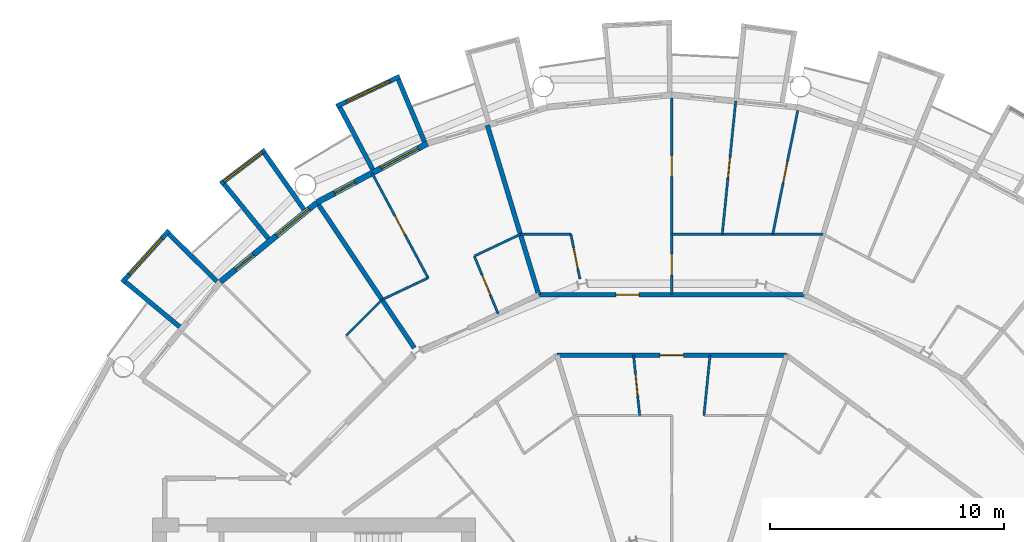
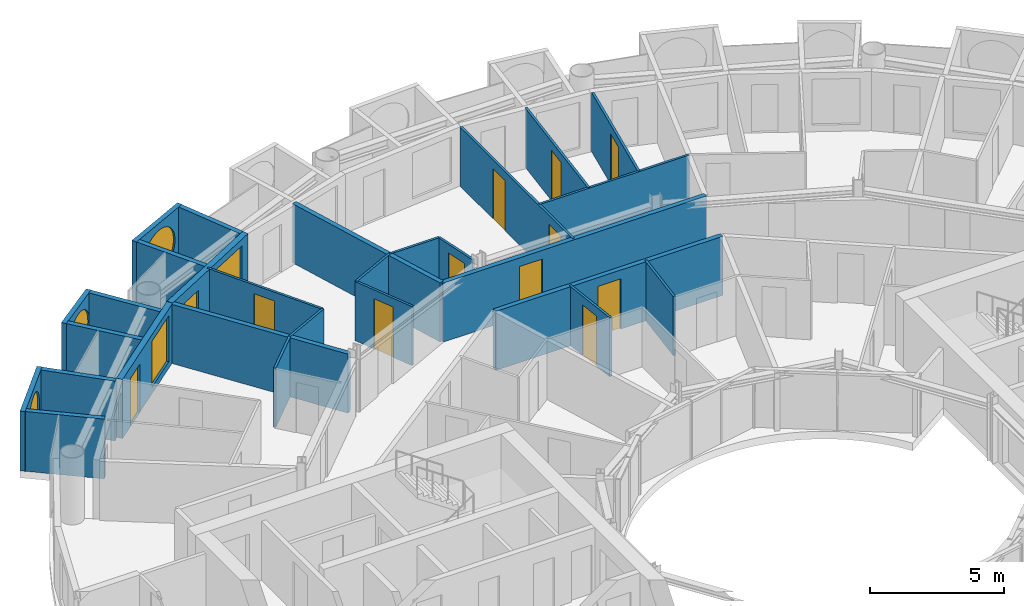
# One storey, part 20 of 27: 28 walls, 12 doors, 5 windows, 17 openings.
"""IFC4 building model written with IfcOpenShell, lengths in metres."""

from ifc_helpers import new_model, si_unit, direction, frame, frame_2d, origin, place, context, subcontext, project, spatial, rectangle, circle, extrude, material, layer, layer_set, type_object, element, fill, save


model = new_model("IFC4")

# Units and contexts
model_context = context("Model", 3, precision=1e-05, world=origin(), true_north=direction((0.0, 1.0)))
body_context = subcontext(model_context, "Body", "Model", "MODEL_VIEW")
ifc_project = project(units=[si_unit("LENGTHUNIT", "METRE"), si_unit("AREAUNIT", "SQUARE_METRE"), si_unit("VOLUMEUNIT", "CUBIC_METRE"), si_unit("PLANEANGLEUNIT", "RADIAN"), si_unit("MASSUNIT", "GRAM", prefix="KILO")], contexts=[model_context])

# Site, building, storey
site_placement = place(None, origin())
site = spatial("IfcSite", under=ifc_project, at=site_placement, CompositionType="ELEMENT")
building_placement = place(site_placement, origin())
building = spatial("IfcBuilding", under=site, at=building_placement, Name="Maasbend Ring Residences", CompositionType="ELEMENT")
storey_placement = place(building_placement, frame((0.0, 0.0, 117.75)))
storey = spatial("IfcBuildingStorey", under=building, at=storey_placement, Name="L33", CompositionType="ELEMENT", Elevation=117.75)

# Wall, opening, door
ifc_material_1 = material(Name="Concrete C30/37", Category="concrete")
ifc_layer_1 = layer(ifc_material_1, 0.199951171875)
ifc_layer_set_1 = layer_set([ifc_layer_1], Name="Concrete C30/37")
wall_type_1 = type_object("IfcWallType", Name="CORRIDOR WALL 200 CONCRETE", PredefinedType="PARTITIONING", material=ifc_layer_set_1)
wall_1_placement = place(storey_placement, frame((-4.906005859375, 16.172119140625, 0.0), z_axis=(0.0, 0.0, 1.0), x_axis=(1.0, 0.0, 0.0)))
wall_1 = element("IfcWall", 1, at=wall_1_placement, inside=storey, type_object=wall_type_1, Name="U-L33-w095", PredefinedType="PARTITIONING", context=body_context, shape_type="SweptSolid", body=[
    extrude(rectangle(XDim=9.81201171875, YDim=0.199951171875, at=frame_2d((4.906005859375, 0.0))), origin(), (0.0, 0.0, 1.0), 2.699951171875),
])
opening_1_placement = place(wall_1_placement, frame((4.406005859375, 0.0, 0.0)))
opening_1 = element("IfcOpeningElement", 2, at=opening_1_placement, cuts=wall_1, Name="Opening D-3325", PredefinedType="OPENING", context=body_context, shape_type="SweptSolid", body=[
    extrude(rectangle(XDim=1.0, YDim=2.300048828125, at=frame_2d((0.5, 1.14990234375))), frame((0.0, 0.10986328125, 0.0), z_axis=(0.0, -1.0, 0.0), x_axis=(1.0, 0.0, 0.0)), (0.0, 0.0, 1.0), 0.219970703125),
])
ifc_material_2 = material(Name="Timber, fire-rated, painted", Category="wood")
door_type_1 = type_object("IfcDoorType", Name="FLAT ENTRANCE DOOR 1000 X 2300 FIRE-RATED", OperationType="NOTDEFINED", PredefinedType="DOOR", material=ifc_material_2)
door_1_placement = place(opening_1_placement, origin())
door_1 = element("IfcDoor", 3, at=door_1_placement, inside=storey, type_object=door_type_1, Name="D-3325", OperationType="SINGLE_SWING_LEFT", OverallHeight=2.300048828125, OverallWidth=1.0, PredefinedType="DOOR", context=body_context, shape_type="SweptSolid", body=[
    extrude(rectangle(XDim=1.0, YDim=2.300048828125, at=frame_2d((0.5, 1.14990234375))), frame((0.0, 0.02490234375, 0.0), z_axis=(0.0, -1.0, 0.0), x_axis=(1.0, 0.0, 0.0)), (0.0, 0.0, 1.0), 0.050048828125),
])
fill(opening_1, door_1)

wall_2_placement = place(storey_placement, frame((-5.68994140625, 18.756103515625, 0.0), z_axis=(0.0, 0.0, 1.0), x_axis=(1.0, 0.0, 0.0)))
wall_2 = element("IfcWall", 4, at=wall_2_placement, inside=storey, type_object=wall_type_1, Name="U-L33-w096", PredefinedType="PARTITIONING", context=body_context, shape_type="SweptSolid", body=[
    extrude(rectangle(XDim=11.3798828125, YDim=0.199951171875, at=frame_2d((5.68994140625, 0.0))), origin(), (0.0, 0.0, 1.0), 2.699951171875),
])
opening_2_placement = place(wall_2_placement, frame((3.2939453125, 0.0, 0.0)))
opening_2 = element("IfcOpeningElement", 5, at=opening_2_placement, cuts=wall_2, Name="Opening D-3308", PredefinedType="OPENING", context=body_context, shape_type="SweptSolid", body=[
    extrude(rectangle(XDim=1.0, YDim=2.300048828125, at=frame_2d((0.5, 1.14990234375))), frame((0.0, 0.10986328125, 0.0), z_axis=(0.0, -1.0, 0.0), x_axis=(1.0, 0.0, 0.0)), (0.0, 0.0, 1.0), 0.219970703125),
])
door_2_placement = place(opening_2_placement, origin())
door_2 = element("IfcDoor", 6, at=door_2_placement, inside=storey, type_object=door_type_1, Name="D-3308", OperationType="SINGLE_SWING_LEFT", OverallHeight=2.300048828125, OverallWidth=1.0, PredefinedType="DOOR", context=body_context, shape_type="SweptSolid", body=[
    extrude(rectangle(XDim=1.0, YDim=2.300048828125, at=frame_2d((0.5, 1.14990234375))), frame((0.0, 0.02490234375, 0.0), z_axis=(0.0, -1.0, 0.0), x_axis=(1.0, 0.0, 0.0)), (0.0, 0.0, 1.0), 0.050048828125),
])
fill(opening_2, door_2)

# Wall, opening, window
ifc_material_3 = material(Name="Pale anodised aluminium panel", Category="aluminium")
ifc_layer_2 = layer(ifc_material_3, 0.199951171875)
ifc_layer_set_2 = layer_set([ifc_layer_2], Name="EW-BOX")
wall_type_2 = type_object("IfcWallType", Name="EW-BOX", PredefinedType="SOLIDWALL", material=ifc_layer_set_2)
wall_3_placement = place(storey_placement, frame((-11.62890625, 28.087890625, -0.030029296875), z_axis=(0.0, 0.0, 1.0), x_axis=(-0.904000060331, -0.427532327342, 0.0)))
wall_3 = element("IfcWall", 7, at=wall_3_placement, inside=storey, type_object=wall_type_2, Name="Box front N15", PredefinedType="SOLIDWALL", context=body_context, shape_type="SweptSolid", body=[
    extrude(rectangle(XDim=2.993408203125, YDim=0.199951171875, at=frame_2d((1.49658203125, 0.0))), origin(), (0.0, 0.0, 1.0), 2.72998046875),
])
opening_3_placement = place(wall_3_placement, frame((0.45654296875, 0.0, 0.330078125)))
opening_3 = element("IfcOpeningElement", 8, at=opening_3_placement, cuts=wall_3, Name="Opening W-RD", PredefinedType="OPENING", context=body_context, shape_type="SweptSolid", body=[
    extrude(circle(Radius=1.0400390625, at=frame_2d((1.0400390625, 1.0400390625))), frame((0.0, 0.10986328125, 0.0), z_axis=(0.0, -1.0, 0.0), x_axis=(1.0, 0.0, 0.0)), (0.0, 0.0, 1.0), 0.219970703125),
])
ifc_material_4 = material(Name="Aluminium and clear glass", Category="aluminium")
window_type_1 = type_object("IfcWindowType", Name="W-RD", PartitioningType="SINGLE_PANEL", PredefinedType="WINDOW", material=ifc_material_4)
window_1_placement = place(opening_3_placement, origin())
window_1 = element("IfcWindow", 9, at=window_1_placement, inside=storey, type_object=window_type_1, Name="Round window N15", OverallHeight=2.080078125, OverallWidth=2.080078125, PartitioningType="SINGLE_PANEL", PredefinedType="WINDOW", context=body_context, shape_type="SweptSolid", body=[
    extrude(circle(Radius=1.0400390625, at=frame_2d((1.0400390625, 1.0400390625))), frame((0.0, 0.030029296875, 0.0), z_axis=(0.0, -1.0, 0.0), x_axis=(1.0, 0.0, 0.0)), (0.0, 0.0, 1.0), 0.06005859375),
])
fill(opening_3, window_1)

# Walls
wall_4_placement = place(storey_placement, frame((-10.574951171875, 25.294921875, -0.030029296875), z_axis=(0.0, 0.0, 1.0), x_axis=(-0.385697364644, 0.922625353492, 0.0)))
element("IfcWall", 10, at=wall_4_placement, inside=storey, type_object=wall_type_2, Name="Box side wall N15 left", PredefinedType="SOLIDWALL", context=body_context, shape_type="SweptSolid", body=[
    extrude(rectangle(XDim=2.88330078125, YDim=0.199951171875, at=frame_2d((1.441650390625, 0.0))), origin(), (0.0, 0.0, 1.0), 2.72998046875),
])
wall_5_placement = place(storey_placement, frame((-12.787109375, 24.113037109375, -0.030029296875), z_axis=(0.0, 0.0, 1.0), x_axis=(-0.468365282436, 0.883534924159, 0.0)))
element("IfcWall", 11, at=wall_5_placement, inside=storey, type_object=wall_type_2, Name="Box side wall N15 right", PredefinedType="SOLIDWALL", context=body_context, shape_type="SweptSolid", body=[
    extrude(rectangle(XDim=3.006103515625, YDim=0.199951171875, at=frame_2d((1.5029296875, 0.0))), origin(), (0.0, 0.0, 1.0), 2.72998046875),
])

# Wall, opening, window
wall_6_placement = place(storey_placement, frame((-17.382080078125, 24.93994140625, -0.030029296875), z_axis=(0.0, 0.0, 1.0), x_axis=(-0.797456837111, -0.603375996329, 0.0)))
wall_6 = element("IfcWall", 12, at=wall_6_placement, inside=storey, type_object=wall_type_2, Name="Box front N17", PredefinedType="SOLIDWALL", context=body_context, shape_type="SweptSolid", body=[
    extrude(rectangle(XDim=2.391357421875, YDim=0.199951171875, at=frame_2d((1.19580078125, 0.0))), origin(), (0.0, 0.0, 1.0), 2.72998046875),
])
opening_4_placement = place(wall_6_placement, frame((0.15576171875, 0.0, 0.330078125)))
opening_4 = element("IfcOpeningElement", 13, at=opening_4_placement, cuts=wall_6, Name="Opening W-RD", PredefinedType="OPENING", context=body_context, shape_type="SweptSolid", body=[
    extrude(circle(Radius=1.0400390625, at=frame_2d((1.0400390625, 1.0400390625))), frame((0.0, 0.10986328125, 0.0), z_axis=(0.0, -1.0, 0.0), x_axis=(1.0, 0.0, 0.0)), (0.0, 0.0, 1.0), 0.219970703125),
])
window_2_placement = place(opening_4_placement, origin())
window_2 = element("IfcWindow", 14, at=window_2_placement, inside=storey, type_object=window_type_1, Name="Round window N17", OverallHeight=2.080078125, OverallWidth=2.080078125, PartitioningType="SINGLE_PANEL", PredefinedType="WINDOW", context=body_context, shape_type="SweptSolid", body=[
    extrude(circle(Radius=1.0400390625, at=frame_2d((1.0400390625, 1.0400390625))), frame((0.0, 0.030029296875, 0.0), z_axis=(0.0, -1.0, 0.0), x_axis=(1.0, 0.0, 0.0)), (0.0, 0.0, 1.0), 0.06005859375),
])
fill(opening_4, window_2)

# Walls
wall_7_placement = place(storey_placement, frame((-15.72607421875, 22.402099609375, -0.030029296875), z_axis=(0.0, 0.0, 1.0), x_axis=(-0.574826383135, 0.818275399393, 0.0)))
element("IfcWall", 15, at=wall_7_placement, inside=storey, type_object=wall_type_2, Name="Box side wall N17 left", PredefinedType="SOLIDWALL", context=body_context, shape_type="SweptSolid", body=[
    extrude(rectangle(XDim=2.92919921875, YDim=0.199951171875, at=frame_2d((1.464599609375, 0.0))), origin(), (0.0, 0.0, 1.0), 2.72998046875),
])
wall_8_placement = place(storey_placement, frame((-17.24609375, 21.155029296875, -0.030029296875), z_axis=(0.0, 0.0, 1.0), x_axis=(-0.631741648902, 0.775179004516, 0.0)))
element("IfcWall", 16, at=wall_8_placement, inside=storey, type_object=wall_type_2, Name="Box side wall N17 right", PredefinedType="SOLIDWALL", context=body_context, shape_type="SweptSolid", body=[
    extrude(rectangle(XDim=3.005859375, YDim=0.199951171875, at=frame_2d((1.5029296875, 0.0))), origin(), (0.0, 0.0, 1.0), 2.72998046875),
])

# Wall, opening, window
wall_9_placement = place(storey_placement, frame((-21.492919921875, 21.5, -0.030029296875), z_axis=(0.0, 0.0, 1.0), x_axis=(-0.671506829416, -0.740998365753, 0.0)))
wall_9 = element("IfcWall", 17, at=wall_9_placement, inside=storey, type_object=wall_type_2, Name="Box front N19", PredefinedType="SOLIDWALL", context=body_context, shape_type="SweptSolid", body=[
    extrude(rectangle(XDim=2.9931640625, YDim=0.199951171875, at=frame_2d((1.49658203125, 0.0))), origin(), (0.0, 0.0, 1.0), 2.72998046875),
])
opening_5_placement = place(wall_9_placement, frame((0.45654296875, 0.0, 0.330078125)))
opening_5 = element("IfcOpeningElement", 18, at=opening_5_placement, cuts=wall_9, Name="Opening W-RD", PredefinedType="OPENING", context=body_context, shape_type="SweptSolid", body=[
    extrude(circle(Radius=1.0400390625, at=frame_2d((1.0400390625, 1.0400390625))), frame((0.0, 0.10986328125, 0.0), z_axis=(0.0, -1.0, 0.0), x_axis=(1.0, 0.0, 0.0)), (0.0, 0.0, 1.0), 0.219970703125),
])
window_3_placement = place(opening_5_placement, origin())
window_3 = element("IfcWindow", 19, at=window_3_placement, inside=storey, type_object=window_type_1, Name="Round window N19", OverallHeight=2.080078125, OverallWidth=2.080078125, PartitioningType="SINGLE_PANEL", PredefinedType="WINDOW", context=body_context, shape_type="SweptSolid", body=[
    extrude(circle(Radius=1.0400390625, at=frame_2d((1.0400390625, 1.0400390625))), frame((0.0, 0.030029296875, 0.0), z_axis=(0.0, -1.0, 0.0), x_axis=(1.0, 0.0, 0.0)), (0.0, 0.0, 1.0), 0.06005859375),
])
fill(opening_5, window_3)

# Walls
wall_10_placement = place(storey_placement, frame((-19.449951171875, 19.322998046875, -0.030029296875), z_axis=(0.0, 0.0, 1.0), x_axis=(-0.709727076896, 0.704476739375, 0.0)))
element("IfcWall", 20, at=wall_10_placement, inside=storey, type_object=wall_type_2, Name="Box side wall N19 left", PredefinedType="SOLIDWALL", context=body_context, shape_type="SweptSolid", body=[
    extrude(rectangle(XDim=2.883056640625, YDim=0.199951171875, at=frame_2d((1.44140625, 0.0))), origin(), (0.0, 0.0, 1.0), 2.72998046875),
])
wall_11_placement = place(storey_placement, frame((-21.041015625, 17.384033203125, -0.030029296875), z_axis=(0.0, 0.0, 1.0), x_axis=(-0.770784861449, 0.63709551667, 0.0)))
element("IfcWall", 21, at=wall_11_placement, inside=storey, type_object=wall_type_2, Name="Box side wall N19 right", PredefinedType="SOLIDWALL", context=body_context, shape_type="SweptSolid", body=[
    extrude(rectangle(XDim=3.005859375, YDim=0.199951171875, at=frame_2d((1.5029296875, 0.0))), origin(), (0.0, 0.0, 1.0), 2.72998046875),
])

# Wall, openings, door, window
ifc_material_5 = material(Name="Aluminium clad insulated panel", Category="aluminium")
ifc_layer_3 = layer(ifc_material_5, 0.25)
ifc_layer_set_3 = layer_set([ifc_layer_3], Name="EW-GL")
wall_type_3 = type_object("IfcWallType", Name="EW-GL", PredefinedType="SOLIDWALL", material=ifc_layer_set_3)
wall_12_placement = place(storey_placement, frame((-10.447021484375, 25.221923828125, 0.0), z_axis=(0.0, 0.0, 1.0), x_axis=(-0.881915646801, -0.471407246368, 0.0)))
wall_12 = element("IfcWall", 22, at=wall_12_placement, inside=storey, type_object=wall_type_3, Name="External wall N08", PredefinedType="SOLIDWALL", context=body_context, shape_type="SweptSolid", body=[
    extrude(rectangle(XDim=5.35205078125, YDim=0.25, at=frame_2d((2.676025390625, 0.0))), origin(), (0.0, 0.0, 1.0), 2.699951171875),
])
opening_6_placement = place(wall_12_placement, frame((0.441162109375, 0.0, 0.300048828125)))
opening_6 = element("IfcOpeningElement", 23, at=opening_6_placement, cuts=wall_12, Name="Opening W-BX", PredefinedType="OPENING", context=body_context, shape_type="SweptSolid", body=[
    extrude(rectangle(XDim=1.800048828125, YDim=2.10009765625, at=frame_2d((0.89990234375, 1.050048828125))), frame((0.0, 0.135009765625, 0.0), z_axis=(0.0, -1.0, 0.0), x_axis=(1.0, 0.0, 0.0)), (0.0, 0.0, 1.0), 0.27001953125),
])
opening_7_placement = place(wall_12_placement, frame((3.510498046875, 0.0, 0.0)))
opening_7 = element("IfcOpeningElement", 24, at=opening_7_placement, cuts=wall_12, Name="Opening D-LG", PredefinedType="OPENING", context=body_context, shape_type="SweptSolid", body=[
    extrude(rectangle(XDim=1.0, YDim=2.199951171875, at=frame_2d((0.5, 1.10009765625))), frame((0.0, 0.135009765625, 0.0), z_axis=(0.0, -1.0, 0.0), x_axis=(1.0, 0.0, 0.0)), (0.0, 0.0, 1.0), 0.27001953125),
])
ifc_material_6 = material(Name="Aluminium and clear glass", Category="aluminium")
door_type_2 = type_object("IfcDoorType", Name="D-LG", OperationType="SINGLE_SWING_LEFT", PredefinedType="DOOR", material=ifc_material_6)
door_3_placement = place(opening_7_placement, origin())
door_3 = element("IfcDoor", 25, at=door_3_placement, inside=storey, type_object=door_type_2, Name="Loggia door N16", OperationType="SINGLE_SWING_LEFT", OverallHeight=2.199951171875, OverallWidth=1.0, PredefinedType="DOOR", context=body_context, shape_type="SweptSolid", body=[
    extrude(rectangle(XDim=1.0, YDim=2.199951171875, at=frame_2d((0.5, 1.10009765625))), frame((0.0, 0.02490234375, 0.0), z_axis=(0.0, -1.0, 0.0), x_axis=(1.0, 0.0, 0.0)), (0.0, 0.0, 1.0), 0.050048828125),
])
fill(opening_7, door_3)
ifc_material_7 = material(Name="Aluminium and clear glass", Category="aluminium")
window_type_2 = type_object("IfcWindowType", Name="W-BX", PartitioningType="DOUBLE_PANEL_VERTICAL", PredefinedType="WINDOW", material=ifc_material_7)
window_4_placement = place(opening_6_placement, origin())
window_4 = element("IfcWindow", 26, at=window_4_placement, inside=storey, type_object=window_type_2, Name="Window N15 room to box", OverallHeight=2.10009765625, OverallWidth=1.800048828125, PartitioningType="SINGLE_PANEL", PredefinedType="WINDOW", context=body_context, shape_type="SweptSolid", body=[
    extrude(rectangle(XDim=1.800048828125, YDim=2.10009765625, at=frame_2d((0.89990234375, 1.050048828125))), frame((0.0, 0.030029296875, 0.0), z_axis=(0.0, -1.0, 0.0), x_axis=(1.0, 0.0, 0.0)), (0.0, 0.0, 1.0), 0.06005859375),
])
fill(opening_6, window_4)

wall_13_placement = place(storey_placement, frame((-15.1669921875, 22.698974609375, 0.0), z_axis=(0.0, 0.0, 1.0), x_axis=(-0.773019449054, -0.634382322723, 0.0)))
wall_13 = element("IfcWall", 27, at=wall_13_placement, inside=storey, type_object=wall_type_3, Name="External wall N09", PredefinedType="SOLIDWALL", context=body_context, shape_type="SweptSolid", body=[
    extrude(rectangle(XDim=5.351806640625, YDim=0.25, at=frame_2d((2.67578125, 0.0))), origin(), (0.0, 0.0, 1.0), 2.699951171875),
])
opening_8_placement = place(wall_13_placement, frame((0.441162109375, 0.0, 0.300048828125)))
opening_8 = element("IfcOpeningElement", 28, at=opening_8_placement, cuts=wall_13, Name="Opening W-BX", PredefinedType="OPENING", context=body_context, shape_type="SweptSolid", body=[
    extrude(rectangle(XDim=1.800048828125, YDim=2.10009765625, at=frame_2d((0.89990234375, 1.050048828125))), frame((0.0, 0.135009765625, 0.0), z_axis=(0.0, -1.0, 0.0), x_axis=(1.0, 0.0, 0.0)), (0.0, 0.0, 1.0), 0.27001953125),
])
opening_9_placement = place(wall_13_placement, frame((3.510498046875, 0.0, 0.0)))
opening_9 = element("IfcOpeningElement", 29, at=opening_9_placement, cuts=wall_13, Name="Opening D-LG", PredefinedType="OPENING", context=body_context, shape_type="SweptSolid", body=[
    extrude(rectangle(XDim=1.0, YDim=2.199951171875, at=frame_2d((0.5, 1.10009765625))), frame((0.0, 0.135009765625, 0.0), z_axis=(0.0, -1.0, 0.0), x_axis=(1.0, 0.0, 0.0)), (0.0, 0.0, 1.0), 0.27001953125),
])
door_4_placement = place(opening_9_placement, origin())
door_4 = element("IfcDoor", 30, at=door_4_placement, inside=storey, type_object=door_type_2, Name="Loggia door N18", OperationType="SINGLE_SWING_LEFT", OverallHeight=2.199951171875, OverallWidth=1.0, PredefinedType="DOOR", context=body_context, shape_type="SweptSolid", body=[
    extrude(rectangle(XDim=1.0, YDim=2.199951171875, at=frame_2d((0.5, 1.10009765625))), frame((0.0, 0.02490234375, 0.0), z_axis=(0.0, -1.0, 0.0), x_axis=(1.0, 0.0, 0.0)), (0.0, 0.0, 1.0), 0.050048828125),
])
fill(opening_9, door_4)
window_5_placement = place(opening_8_placement, origin())
window_5 = element("IfcWindow", 31, at=window_5_placement, inside=storey, type_object=window_type_2, Name="Window N17 room to box", OverallHeight=2.10009765625, OverallWidth=1.800048828125, PartitioningType="SINGLE_PANEL", PredefinedType="WINDOW", context=body_context, shape_type="SweptSolid", body=[
    extrude(rectangle(XDim=1.800048828125, YDim=2.10009765625, at=frame_2d((0.89990234375, 1.050048828125))), frame((0.0, 0.030029296875, 0.0), z_axis=(0.0, -1.0, 0.0), x_axis=(1.0, 0.0, 0.0)), (0.0, 0.0, 1.0), 0.06005859375),
])
fill(opening_8, window_5)

# Wall, opening, door
ifc_material_8 = material(Name="Gypsum board on steel studs", Category="steel")
ifc_layer_4 = layer(ifc_material_8, 0.10009765625)
ifc_layer_set_4 = layer_set([ifc_layer_4], Name="PARTITION 100 GYPSUM")
wall_type_4 = type_object("IfcWallType", Name="PARTITION 100 GYPSUM", PredefinedType="PARTITIONING", material=ifc_layer_set_4)
wall_14_placement = place(storey_placement, frame((-12.820068359375, 23.9609375, 0.0), z_axis=(0.0, 0.0, 1.0), x_axis=(0.471735511233, -0.881740101981, 0.0)))
wall_14 = element("IfcWall", 32, at=wall_14_placement, inside=storey, type_object=wall_type_4, Name="U-L33-w041", PredefinedType="PARTITIONING", context=body_context, shape_type="SweptSolid", body=[
    extrude(rectangle(XDim=5.090087890625, YDim=0.10009765625, at=frame_2d((2.544921875, 0.0))), origin(), (0.0, 0.0, 1.0), 2.699951171875),
])
opening_10_placement = place(wall_14_placement, frame((2.094970703125, 0.0, 0.0)))
opening_10 = element("IfcOpeningElement", 33, at=opening_10_placement, cuts=wall_14, Name="Opening D-3316", PredefinedType="OPENING", context=body_context, shape_type="SweptSolid", body=[
    extrude(rectangle(XDim=0.89990234375, YDim=2.300048828125, at=frame_2d((0.449951171875, 1.14990234375))), frame((0.0, 0.06005859375, 0.0), z_axis=(0.0, -1.0, 0.0), x_axis=(1.0, 0.0, 0.0)), (0.0, 0.0, 1.0), 0.1201171875),
])
ifc_material_9 = material(Name="Timber, painted", Category="wood")
door_type_3 = type_object("IfcDoorType", Name="INTERNAL DOOR 900 X 2300", OperationType="NOTDEFINED", PredefinedType="DOOR", material=ifc_material_9)
door_5_placement = place(opening_10_placement, origin())
door_5 = element("IfcDoor", 34, at=door_5_placement, inside=storey, type_object=door_type_3, Name="D-3316", OperationType="SINGLE_SWING_RIGHT", OverallHeight=2.300048828125, OverallWidth=0.89990234375, PredefinedType="DOOR", context=body_context, shape_type="SweptSolid", body=[
    extrude(rectangle(XDim=0.89990234375, YDim=2.300048828125, at=frame_2d((0.449951171875, 1.14990234375))), frame((0.0, 0.02490234375, 0.0), z_axis=(0.0, -1.0, 0.0), x_axis=(1.0, 0.0, 0.0)), (0.0, 0.0, 1.0), 0.050048828125),
])
fill(opening_10, door_5)

wall_15_placement = place(storey_placement, frame((-8.445068359375, 20.406982421875, 0.0), z_axis=(0.0, 0.0, 1.0), x_axis=(0.382195876364, -0.924081334132, 0.0)))
wall_15 = element("IfcWall", 35, at=wall_15_placement, inside=storey, type_object=wall_type_4, Name="U-L33-w045", PredefinedType="PARTITIONING", context=body_context, shape_type="SweptSolid", body=[
    extrude(rectangle(XDim=2.673828125, YDim=0.10009765625, at=frame_2d((1.3369140625, 0.0))), origin(), (0.0, 0.0, 1.0), 2.699951171875),
])
opening_11_placement = place(wall_15_placement, frame((0.886962890625, 0.0, 0.0)))
opening_11 = element("IfcOpeningElement", 36, at=opening_11_placement, cuts=wall_15, Name="Opening D-3315", PredefinedType="OPENING", context=body_context, shape_type="SweptSolid", body=[
    extrude(rectangle(XDim=0.89990234375, YDim=2.300048828125, at=frame_2d((0.449951171875, 1.14990234375))), frame((0.0, 0.06005859375, 0.0), z_axis=(0.0, -1.0, 0.0), x_axis=(1.0, 0.0, 0.0)), (0.0, 0.0, 1.0), 0.1201171875),
])
door_6_placement = place(opening_11_placement, origin())
door_6 = element("IfcDoor", 37, at=door_6_placement, inside=storey, type_object=door_type_3, Name="D-3315", OperationType="SINGLE_SWING_RIGHT", OverallHeight=2.300048828125, OverallWidth=0.89990234375, PredefinedType="DOOR", context=body_context, shape_type="SweptSolid", body=[
    extrude(rectangle(XDim=0.89990234375, YDim=2.300048828125, at=frame_2d((0.449951171875, 1.14990234375))), frame((0.0, 0.02490234375, 0.0), z_axis=(0.0, -1.0, 0.0), x_axis=(1.0, 0.0, 0.0)), (0.0, 0.0, 1.0), 0.050048828125),
])
fill(opening_11, door_6)

wall_16_placement = place(storey_placement, frame((-4.31591796875, 21.340087890625, 0.0), z_axis=(0.0, 0.0, 1.0), x_axis=(0.198348087074, -0.980131642359, 0.0)))
wall_16 = element("IfcWall", 38, at=wall_16_placement, inside=storey, type_object=wall_type_4, Name="U-L33-w053", PredefinedType="PARTITIONING", context=body_context, shape_type="SweptSolid", body=[
    extrude(rectangle(XDim=1.955810546875, YDim=0.10009765625, at=frame_2d((0.97802734375, 0.0))), origin(), (0.0, 0.0, 1.0), 2.699951171875),
])
opening_12_placement = place(wall_16_placement, frame((0.60009765625, 0.0, 0.0)))
opening_12 = element("IfcOpeningElement", 39, at=opening_12_placement, cuts=wall_16, Name="Opening D-3309", PredefinedType="OPENING", context=body_context, shape_type="SweptSolid", body=[
    extrude(rectangle(XDim=0.89990234375, YDim=2.300048828125, at=frame_2d((0.449951171875, 1.14990234375))), frame((0.0, 0.06005859375, 0.0), z_axis=(0.0, -1.0, 0.0), x_axis=(1.0, 0.0, 0.0)), (0.0, 0.0, 1.0), 0.1201171875),
])
door_7_placement = place(opening_12_placement, origin())
door_7 = element("IfcDoor", 40, at=door_7_placement, inside=storey, type_object=door_type_3, Name="D-3309", OperationType="SINGLE_SWING_RIGHT", OverallHeight=2.300048828125, OverallWidth=0.89990234375, PredefinedType="DOOR", context=body_context, shape_type="SweptSolid", body=[
    extrude(rectangle(XDim=0.89990234375, YDim=2.300048828125, at=frame_2d((0.449951171875, 1.14990234375))), frame((0.0, 0.02490234375, 0.0), z_axis=(0.0, -1.0, 0.0), x_axis=(1.0, 0.0, 0.0)), (0.0, 0.0, 1.0), 0.050048828125),
])
fill(opening_12, door_7)

wall_17_placement = place(storey_placement, frame((-1.635009765625, 16.172119140625, 0.0), z_axis=(0.0, 0.0, 1.0), x_axis=(0.100527855112, -0.994934244233, 0.0)))
wall_17 = element("IfcWall", 41, at=wall_17_placement, inside=storey, type_object=wall_type_4, Name="U-L33-w055", PredefinedType="PARTITIONING", context=body_context, shape_type="SweptSolid", body=[
    extrude(rectangle(XDim=2.59619140625, YDim=0.10009765625, at=frame_2d((1.298095703125, 0.0))), origin(), (0.0, 0.0, 1.0), 2.699951171875),
])
opening_13_placement = place(wall_17_placement, frame((0.847900390625, 0.0, 0.0)))
opening_13 = element("IfcOpeningElement", 42, at=opening_13_placement, cuts=wall_17, Name="Opening D-3327", PredefinedType="OPENING", context=body_context, shape_type="SweptSolid", body=[
    extrude(rectangle(XDim=0.89990234375, YDim=2.300048828125, at=frame_2d((0.449951171875, 1.14990234375))), frame((0.0, 0.06005859375, 0.0), z_axis=(0.0, -1.0, 0.0), x_axis=(1.0, 0.0, 0.0)), (0.0, 0.0, 1.0), 0.1201171875),
])
door_8_placement = place(opening_13_placement, origin())
door_8 = element("IfcDoor", 43, at=door_8_placement, inside=storey, type_object=door_type_3, Name="D-3327", OperationType="SINGLE_SWING_LEFT", OverallHeight=2.300048828125, OverallWidth=0.89990234375, PredefinedType="DOOR", context=body_context, shape_type="SweptSolid", body=[
    extrude(rectangle(XDim=0.89990234375, YDim=2.300048828125, at=frame_2d((0.449951171875, 1.14990234375))), frame((0.0, 0.02490234375, 0.0), z_axis=(0.0, -1.0, 0.0), x_axis=(1.0, 0.0, 0.0)), (0.0, 0.0, 1.0), 0.050048828125),
])
fill(opening_13, door_8)

# Wall, openings, doors
wall_18_placement = place(storey_placement, frame((0.0, 18.756103515625, 0.0), z_axis=(0.0, 0.0, 1.0), x_axis=(0.0, 1.0, 0.0)))
wall_18 = element("IfcWall", 44, at=wall_18_placement, inside=storey, type_object=wall_type_4, Name="U-L33-w058", PredefinedType="PARTITIONING", context=body_context, shape_type="SweptSolid", body=[
    extrude(rectangle(XDim=8.4189453125, YDim=0.10009765625, at=frame_2d((4.20947265625, 0.0))), origin(), (0.0, 0.0, 1.0), 2.699951171875),
])
opening_14_placement = place(wall_18_placement, frame((0.842041015625, 0.0, 0.0)))
opening_14 = element("IfcOpeningElement", 45, at=opening_14_placement, cuts=wall_18, Name="Opening D-3310", PredefinedType="OPENING", context=body_context, shape_type="SweptSolid", body=[
    extrude(rectangle(XDim=0.89990234375, YDim=2.300048828125, at=frame_2d((0.449951171875, 1.14990234375))), frame((0.0, 0.06005859375, 0.0), z_axis=(0.0, -1.0, 0.0), x_axis=(1.0, 0.0, 0.0)), (0.0, 0.0, 1.0), 0.1201171875),
])
opening_15_placement = place(wall_18_placement, frame((5.052001953125, 0.0, 0.0)))
opening_15 = element("IfcOpeningElement", 46, at=opening_15_placement, cuts=wall_18, Name="Opening D-3311", PredefinedType="OPENING", context=body_context, shape_type="SweptSolid", body=[
    extrude(rectangle(XDim=0.89990234375, YDim=2.300048828125, at=frame_2d((0.449951171875, 1.14990234375))), frame((0.0, 0.06005859375, 0.0), z_axis=(0.0, -1.0, 0.0), x_axis=(1.0, 0.0, 0.0)), (0.0, 0.0, 1.0), 0.1201171875),
])
door_9_placement = place(opening_14_placement, origin())
door_9 = element("IfcDoor", 47, at=door_9_placement, inside=storey, type_object=door_type_3, Name="D-3310", OperationType="SINGLE_SWING_LEFT", OverallHeight=2.300048828125, OverallWidth=0.89990234375, PredefinedType="DOOR", context=body_context, shape_type="SweptSolid", body=[
    extrude(rectangle(XDim=0.89990234375, YDim=2.300048828125, at=frame_2d((0.449951171875, 1.14990234375))), frame((0.0, 0.02490234375, 0.0), z_axis=(0.0, -1.0, 0.0), x_axis=(1.0, 0.0, 0.0)), (0.0, 0.0, 1.0), 0.050048828125),
])
fill(opening_14, door_9)
door_10_placement = place(opening_15_placement, origin())
door_10 = element("IfcDoor", 48, at=door_10_placement, inside=storey, type_object=door_type_3, Name="D-3311", OperationType="SINGLE_SWING_RIGHT", OverallHeight=2.300048828125, OverallWidth=0.89990234375, PredefinedType="DOOR", context=body_context, shape_type="SweptSolid", body=[
    extrude(rectangle(XDim=0.89990234375, YDim=2.300048828125, at=frame_2d((0.449951171875, 1.14990234375))), frame((0.0, 0.02490234375, 0.0), z_axis=(0.0, -1.0, 0.0), x_axis=(1.0, 0.0, 0.0)), (0.0, 0.0, 1.0), 0.050048828125),
])
fill(opening_15, door_10)

# Wall
wall_19_placement = place(storey_placement, frame((1.3740234375, 13.589111328125, 0.0), z_axis=(0.0, 0.0, 1.0), x_axis=(0.100527855112, 0.994934244233, 0.0)))
element("IfcWall", 49, at=wall_19_placement, inside=storey, type_object=wall_type_4, Name="U-L33-w059", PredefinedType="PARTITIONING", context=body_context, shape_type="SweptSolid", body=[
    extrude(rectangle(XDim=2.59619140625, YDim=0.10009765625, at=frame_2d((1.298095703125, 0.0))), origin(), (0.0, 0.0, 1.0), 2.699951171875),
])

# Wall, opening, door
wall_20_placement = place(storey_placement, frame((2.156982421875, 21.340087890625, 0.0), z_axis=(0.0, 0.0, 1.0), x_axis=(0.100580133625, 0.99492896064, 0.0)))
wall_20 = element("IfcWall", 50, at=wall_20_placement, inside=storey, type_object=wall_type_4, Name="U-L33-w061", PredefinedType="PARTITIONING", context=body_context, shape_type="SweptSolid", body=[
    extrude(rectangle(XDim=5.72607421875, YDim=0.10009765625, at=frame_2d((2.863037109375, 0.0))), origin(), (0.0, 0.0, 1.0), 2.699951171875),
])
opening_16_placement = place(wall_20_placement, frame((2.4130859375, 0.0, 0.0)))
opening_16 = element("IfcOpeningElement", 51, at=opening_16_placement, cuts=wall_20, Name="Opening D-3312", PredefinedType="OPENING", context=body_context, shape_type="SweptSolid", body=[
    extrude(rectangle(XDim=0.89990234375, YDim=2.300048828125, at=frame_2d((0.449951171875, 1.14990234375))), frame((0.0, 0.06005859375, 0.0), z_axis=(0.0, -1.0, 0.0), x_axis=(1.0, 0.0, 0.0)), (0.0, 0.0, 1.0), 0.1201171875),
])
door_11_placement = place(opening_16_placement, origin())
door_11 = element("IfcDoor", 52, at=door_11_placement, inside=storey, type_object=door_type_3, Name="D-3312", OperationType="SINGLE_SWING_RIGHT", OverallHeight=2.300048828125, OverallWidth=0.89990234375, PredefinedType="DOOR", context=body_context, shape_type="SweptSolid", body=[
    extrude(rectangle(XDim=0.89990234375, YDim=2.300048828125, at=frame_2d((0.449951171875, 1.14990234375))), frame((0.0, 0.02490234375, 0.0), z_axis=(0.0, -1.0, 0.0), x_axis=(1.0, 0.0, 0.0)), (0.0, 0.0, 1.0), 0.050048828125),
])
fill(opening_16, door_11)

wall_21_placement = place(storey_placement, frame((4.31591796875, 21.340087890625, 0.0), z_axis=(0.0, 0.0, 1.0), x_axis=(0.198227216881, 0.98015609496, 0.0)))
wall_21 = element("IfcWall", 53, at=wall_21_placement, inside=storey, type_object=wall_type_4, Name="U-L33-w063", PredefinedType="PARTITIONING", context=body_context, shape_type="SweptSolid", body=[
    extrude(rectangle(XDim=5.403076171875, YDim=0.10009765625, at=frame_2d((2.70166015625, 0.0))), origin(), (0.0, 0.0, 1.0), 2.699951171875),
])
opening_17_placement = place(wall_21_placement, frame((2.251953125, 0.0, 0.0)))
opening_17 = element("IfcOpeningElement", 54, at=opening_17_placement, cuts=wall_21, Name="Opening D-3313", PredefinedType="OPENING", context=body_context, shape_type="SweptSolid", body=[
    extrude(rectangle(XDim=0.89990234375, YDim=2.300048828125, at=frame_2d((0.449951171875, 1.14990234375))), frame((0.0, 0.06005859375, 0.0), z_axis=(0.0, -1.0, 0.0), x_axis=(1.0, 0.0, 0.0)), (0.0, 0.0, 1.0), 0.1201171875),
])
door_12_placement = place(opening_17_placement, origin())
door_12 = element("IfcDoor", 55, at=door_12_placement, inside=storey, type_object=door_type_3, Name="D-3313", OperationType="SINGLE_SWING_RIGHT", OverallHeight=2.300048828125, OverallWidth=0.89990234375, PredefinedType="DOOR", context=body_context, shape_type="SweptSolid", body=[
    extrude(rectangle(XDim=0.89990234375, YDim=2.300048828125, at=frame_2d((0.449951171875, 1.14990234375))), frame((0.0, 0.02490234375, 0.0), z_axis=(0.0, -1.0, 0.0), x_axis=(1.0, 0.0, 0.0)), (0.0, 0.0, 1.0), 0.050048828125),
])
fill(opening_17, door_12)

# Walls
wall_22_placement = place(storey_placement, frame((-6.472900390625, 21.340087890625, 0.0), z_axis=(0.0, 0.0, 1.0), x_axis=(1.0, 0.0, 0.0)))
element("IfcWall", 56, at=wall_22_placement, inside=storey, type_object=wall_type_4, Name="U-L33-w101", PredefinedType="PARTITIONING", context=body_context, shape_type="SweptSolid", body=[
    extrude(rectangle(XDim=2.156982421875, YDim=0.10009765625, at=frame_2d((1.07861328125, 0.0))), origin(), (0.0, 0.0, 1.0), 2.699951171875),
])
wall_23_placement = place(storey_placement, frame((0.0, 21.340087890625, 0.0), z_axis=(0.0, 0.0, 1.0), x_axis=(1.0, 0.0, 0.0)))
element("IfcWall", 57, at=wall_23_placement, inside=storey, type_object=wall_type_4, Name="U-L33-w102", PredefinedType="PARTITIONING", context=body_context, shape_type="SweptSolid", body=[
    extrude(rectangle(XDim=6.472900390625, YDim=0.10009765625, at=frame_2d((3.236328125, 0.0))), origin(), (0.0, 0.0, 1.0), 2.699951171875),
])
wall_24_placement = place(storey_placement, frame((-13.924072265625, 17.006103515625, 0.0), z_axis=(0.0, 0.0, 1.0), x_axis=(0.707387256653, 0.706826194425, 0.0)))
element("IfcWall", 58, at=wall_24_placement, inside=storey, type_object=wall_type_4, Name="U-L33-w106", PredefinedType="PARTITIONING", context=body_context, shape_type="SweptSolid", body=[
    extrude(rectangle(XDim=2.17578125, YDim=0.10009765625, at=frame_2d((1.087890625, 0.0))), origin(), (0.0, 0.0, 1.0), 2.699951171875),
])
for number, where, z_axis, x_axis, name in (
    (59, (-12.388916015625, 18.5419921875, 0.0), (0.0, 0.0, 1.0), (0.904081702397, 0.427359655782, 0.0), "U-L33-w109"),
    (60, (-8.43603515625, 20.409912109375, 0.0), (0.0, 0.0, 1.0), (0.904081702397, 0.427359655782, 0.0), "U-L33-w110"),
):
    element("IfcWall", number, at=place(storey_placement, frame(where, z_axis=z_axis, x_axis=x_axis)), inside=storey, type_object=wall_type_4, Name=name, PredefinedType="PARTITIONING", context=body_context, shape_type="SweptSolid", body=[
        extrude(rectangle(XDim=2.18115234375, YDim=0.10009765625, at=frame_2d((1.090576171875, 0.0))), origin(), (0.0, 0.0, 1.0), 2.699951171875),
    ])
ifc_material_10 = material(Name="Concrete C30/37", Category="concrete")
ifc_layer_5 = layer(ifc_material_10, 0.199951171875)
ifc_layer_set_5 = layer_set([ifc_layer_5], Name="Concrete C30/37")
wall_type_5 = type_object("IfcWallType", Name="PARTY WALL 200 CONCRETE", PredefinedType="PARTITIONING", material=ifc_layer_set_5)
wall_25_placement = place(storey_placement, frame((-7.886962890625, 26.0048828125, 0.0), z_axis=(0.0, 0.0, 1.0), x_axis=(0.29005838641, -0.957008951094, 0.0)))
element("IfcWall", 61, at=wall_25_placement, inside=storey, type_object=wall_type_5, Name="U-L33-w028", PredefinedType="PARTITIONING", context=body_context, shape_type="SweptSolid", body=[
    extrude(rectangle(XDim=7.574462890625, YDim=0.199951171875, at=frame_2d((3.787109375, 0.0))), origin(), (0.0, 0.0, 1.0), 2.699951171875),
])
wall_26_placement = place(storey_placement, frame((-15.096923828125, 22.594970703125, 0.0), z_axis=(0.0, 0.0, 1.0), x_axis=(0.555572791, -0.831467903109, 0.0)))
element("IfcWall", 62, at=wall_26_placement, inside=storey, type_object=wall_type_5, Name="U-L33-w039", PredefinedType="PARTITIONING", context=body_context, shape_type="SweptSolid", body=[
    extrude(rectangle(XDim=7.35791015625, YDim=0.199951171875, at=frame_2d((3.678955078125, 0.0))), origin(), (0.0, 0.0, 1.0), 2.699951171875),
])

save(model, "model.ifc")
